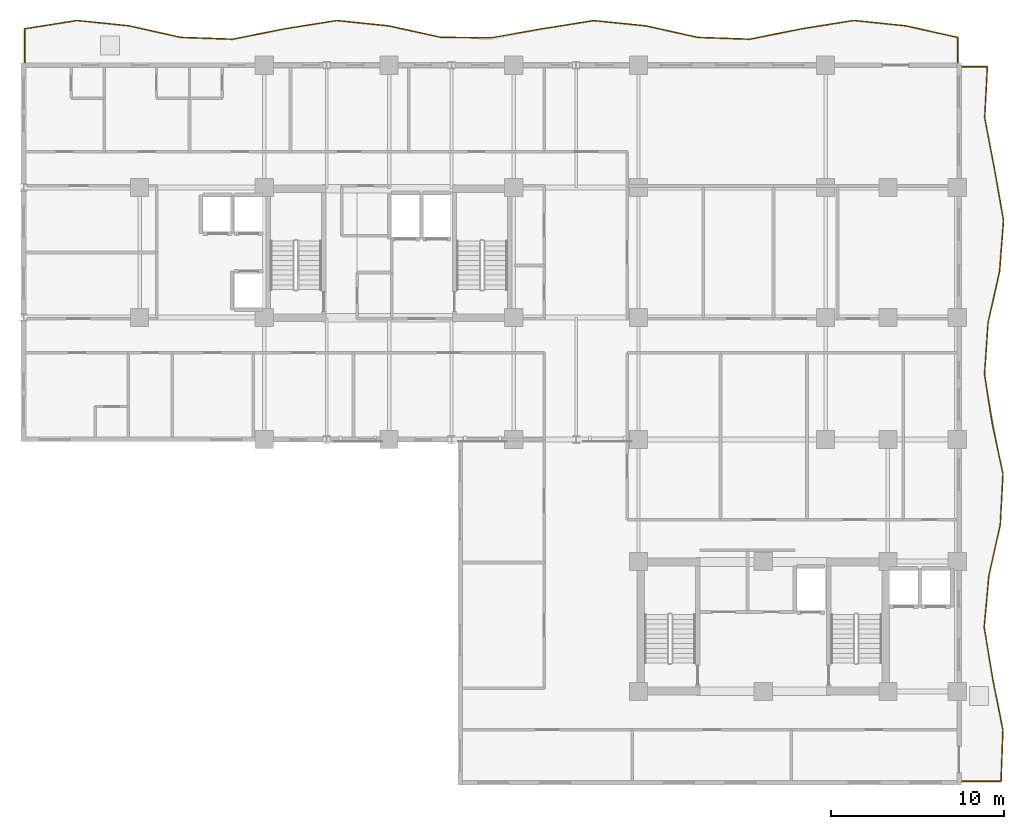
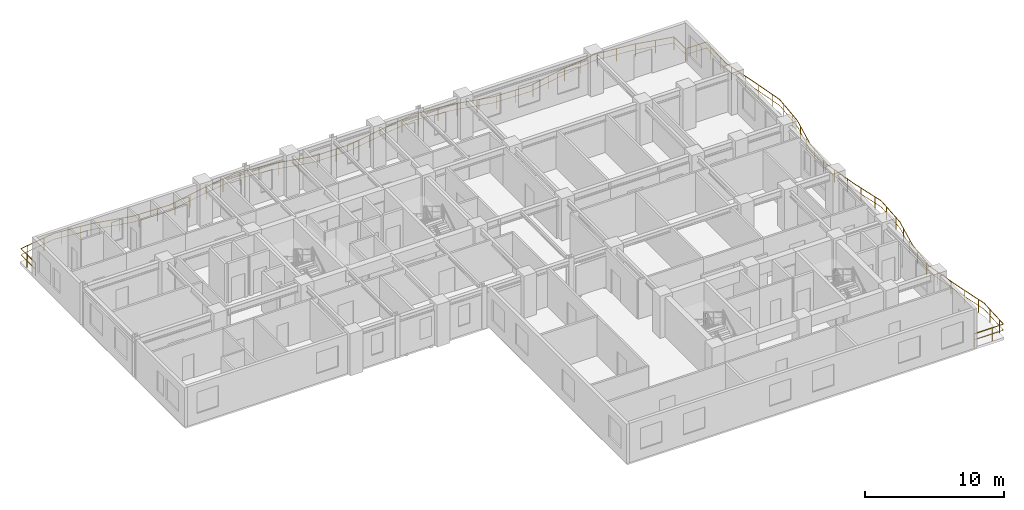
# One storey, part 13 of 13: 2 railings.
"""IFC4 building model written with IfcOpenShell, lengths in metres."""

from ifc_helpers import new_model, si_unit, direction, frame, origin, origin_2d, place, context, subcontext, project, spatial, rectangle, extrude, material, type_object, element, save


model = new_model("IFC4")

# Units and contexts
model_context = context("Model", 3, precision=1e-05, world=origin(), true_north=direction((0.0, 1.0)))
body_context = subcontext(model_context, "Body", "Model", "MODEL_VIEW")
ifc_project = project(units=[si_unit("LENGTHUNIT", "METRE"), si_unit("AREAUNIT", "SQUARE_METRE"), si_unit("VOLUMEUNIT", "CUBIC_METRE"), si_unit("PLANEANGLEUNIT", "RADIAN"), si_unit("MASSUNIT", "GRAM", prefix="KILO")], contexts=[model_context])

# Site, building, storey
site_placement = place(None, origin())
site = spatial("IfcSite", under=ifc_project, at=site_placement, CompositionType="ELEMENT")
building_placement = place(site_placement, origin())
building = spatial("IfcBuilding", under=site, at=building_placement, Name="Kaliganga Portal Commons", CompositionType="ELEMENT")
storey_placement = place(building_placement, frame((0.0, 0.0, 158.699951171875)))
storey = spatial("IfcBuildingStorey", under=building, at=storey_placement, Name="L40", CompositionType="ELEMENT", Elevation=158.699951171875)

# Railings
ifc_material = material(Name="Laminated Safety Glass and Stainless Steel 316", Category="steel")
railing_type = type_object("IfcRailingType", Name="RLG-BAL-1150", PredefinedType="BALUSTRADE", material=ifc_material)
railing_1_placement = place(storey_placement, frame((54.420166015625, 43.20556640625, 0.0)))
element("IfcRailing", 1, at=railing_1_placement, inside=storey, type_object=railing_type, Name="Balcony Guardrail L40 balc_north", PredefinedType="BALUSTRADE", context=body_context, shape_type="SweptSolid", body=[
    extrude(rectangle(XDim=0.048095703125, YDim=0.048095703125, at=origin_2d()), frame((0.0, 0.0, 1.1259765625), z_axis=(-0.000151883352, 0.999999988466, 0.0), x_axis=(-0.999999988466, -0.000151883352, 0.0)), (0.0, 0.0, 1.0), 1.607421875),
    extrude(rectangle(XDim=0.028076171875, YDim=0.028076171875, at=origin_2d()), frame((0.0, 0.0, 0.597900390625), z_axis=(-0.000151883352, 0.999999988466, 0.0), x_axis=(-0.999999988466, -0.000151883352, 0.0)), (0.0, 0.0, 1.0), 1.607421875),
    extrude(rectangle(XDim=0.048095703125, YDim=0.048095703125, at=origin_2d()), frame((-0.000244140625, 1.607421875, 1.1259765625), z_axis=(-0.975979173435, 0.217863840554, 0.0), x_axis=(-0.217863840554, -0.975979173435, 0.0)), (0.0, 0.0, 1.0), 3.07373046875),
    extrude(rectangle(XDim=0.028076171875, YDim=0.028076171875, at=origin_2d()), frame((-0.000244140625, 1.607421875, 0.597900390625), z_axis=(-0.975979173435, 0.217863840554, 0.0), x_axis=(-0.217863840554, -0.975979173435, 0.0)), (0.0, 0.0, 1.0), 3.07373046875),
    extrude(rectangle(XDim=0.048095703125, YDim=0.048095703125, at=origin_2d()), frame((-3.000244140625, 2.277099609375, 1.1259765625), z_axis=(-0.99479217812, 0.101924100932, 0.0), x_axis=(-0.101924100932, -0.99479217812, 0.0)), (0.0, 0.0, 1.0), 3.015625),
    extrude(rectangle(XDim=0.028076171875, YDim=0.028076171875, at=origin_2d()), frame((-3.000244140625, 2.277099609375, 0.597900390625), z_axis=(-0.99479217812, 0.101924100932, 0.0), x_axis=(-0.101924100932, -0.99479217812, 0.0)), (0.0, 0.0, 1.0), 3.015625),
    extrude(rectangle(XDim=0.048095703125, YDim=0.048095703125, at=origin_2d()), frame((-6.000244140625, 2.58447265625, 1.1259765625), z_axis=(-0.98747921595, -0.157749161858, 0.0), x_axis=(0.157749161858, -0.98747921595, 0.0)), (0.0, 0.0, 1.0), 3.0380859375),
    extrude(rectangle(XDim=0.028076171875, YDim=0.028076171875, at=origin_2d()), frame((-6.000244140625, 2.58447265625, 0.597900390625), z_axis=(-0.98747921595, -0.157749161858, 0.0), x_axis=(0.157749161858, -0.98747921595, 0.0)), (0.0, 0.0, 1.0), 3.0380859375),
    extrude(rectangle(XDim=0.048095703125, YDim=0.048095703125, at=origin_2d()), frame((-9.000244140625, 2.105224609375, 1.1259765625), z_axis=(-0.980405371108, -0.196990629986, 0.0), x_axis=(0.196990629986, -0.980405371108, 0.0)), (0.0, 0.0, 1.0), 3.06005859375),
    extrude(rectangle(XDim=0.028076171875, YDim=0.028076171875, at=origin_2d()), frame((-9.000244140625, 2.105224609375, 0.597900390625), z_axis=(-0.980405371108, -0.196990629986, 0.0), x_axis=(0.196990629986, -0.980405371108, 0.0)), (0.0, 0.0, 1.0), 3.06005859375),
    extrude(rectangle(XDim=0.048095703125, YDim=0.048095703125, at=origin_2d()), frame((-12.000244140625, 1.50244140625, 1.1259765625), z_axis=(-0.999376866679, 0.035297001964, 0.0), x_axis=(-0.035297001964, -0.999376866679, 0.0)), (0.0, 0.0, 1.0), 3.001953125),
    extrude(rectangle(XDim=0.028076171875, YDim=0.028076171875, at=origin_2d()), frame((-12.000244140625, 1.50244140625, 0.597900390625), z_axis=(-0.999376866679, 0.035297001964, 0.0), x_axis=(-0.035297001964, -0.999376866679, 0.0)), (0.0, 0.0, 1.0), 3.001953125),
    extrude(rectangle(XDim=0.048095703125, YDim=0.048095703125, at=origin_2d()), frame((-15.000244140625, 1.6083984375, 1.1259765625), z_axis=(-0.97621135664, 0.216821094838, 0.0), x_axis=(-0.216821094838, -0.97621135664, 0.0)), (0.0, 0.0, 1.0), 3.07275390625),
    extrude(rectangle(XDim=0.028076171875, YDim=0.028076171875, at=origin_2d()), frame((-15.000244140625, 1.6083984375, 0.597900390625), z_axis=(-0.97621135664, 0.216821094838, 0.0), x_axis=(-0.216821094838, -0.97621135664, 0.0)), (0.0, 0.0, 1.0), 3.07275390625),
    extrude(rectangle(XDim=0.048095703125, YDim=0.048095703125, at=origin_2d()), frame((-18.0, 2.274658203125, 1.1259765625), z_axis=(-0.994937270813, 0.10049789623, 0.0), x_axis=(-0.10049789623, -0.994937270813, 0.0)), (0.0, 0.0, 1.0), 3.014892578125),
    extrude(rectangle(XDim=0.028076171875, YDim=0.028076171875, at=origin_2d()), frame((-18.0, 2.274658203125, 0.597900390625), z_axis=(-0.994937270813, 0.10049789623, 0.0), x_axis=(-0.10049789623, -0.994937270813, 0.0)), (0.0, 0.0, 1.0), 3.014892578125),
    extrude(rectangle(XDim=0.048095703125, YDim=0.048095703125, at=origin_2d()), frame((-20.99951171875, 2.57763671875, 1.1259765625), z_axis=(-0.987543722899, -0.157344829476, 0.0), x_axis=(0.157344829476, -0.987543722899, 0.0)), (0.0, 0.0, 1.0), 3.0380859375),
    extrude(rectangle(XDim=0.028076171875, YDim=0.028076171875, at=origin_2d()), frame((-20.99951171875, 2.57763671875, 0.597900390625), z_axis=(-0.987543722899, -0.157344829476, 0.0), x_axis=(0.157344829476, -0.987543722899, 0.0)), (0.0, 0.0, 1.0), 3.0380859375),
    extrude(rectangle(XDim=0.048095703125, YDim=0.048095703125, at=origin_2d()), frame((-23.999755859375, 2.099609375, 1.1259765625), z_axis=(-0.984556518379, -0.175067021785, 0.0), x_axis=(0.175067021785, -0.984556518379, 0.0)), (0.0, 0.0, 1.0), 2.96630859375),
    extrude(rectangle(XDim=0.028076171875, YDim=0.028076171875, at=origin_2d()), frame((-23.999755859375, 2.099609375, 0.597900390625), z_axis=(-0.984556518379, -0.175067021785, 0.0), x_axis=(0.175067021785, -0.984556518379, 0.0)), (0.0, 0.0, 1.0), 2.96630859375),
    extrude(rectangle(XDim=0.048095703125, YDim=0.048095703125, at=origin_2d()), frame((-26.920166015625, 1.580322265625, 1.1259765625), z_axis=(-0.99993632214, 0.011285019519, 0.0), x_axis=(-0.011285019519, -0.99993632214, 0.0)), (0.0, 0.0, 1.0), 2.920654296875),
    extrude(rectangle(XDim=0.028076171875, YDim=0.028076171875, at=origin_2d()), frame((-26.920166015625, 1.580322265625, 0.597900390625), z_axis=(-0.99993632214, 0.011285019519, 0.0), x_axis=(-0.011285019519, -0.99993632214, 0.0)), (0.0, 0.0, 1.0), 2.920654296875),
    extrude(rectangle(XDim=0.048095703125, YDim=0.048095703125, at=origin_2d()), frame((-29.840576171875, 1.61328125, 1.1259765625), z_axis=(-0.976663478024, 0.214775349363, 0.0), x_axis=(-0.214775349363, -0.976663478024, 0.0)), (0.0, 0.0, 1.0), 3.071533203125),
    extrude(rectangle(XDim=0.028076171875, YDim=0.028076171875, at=origin_2d()), frame((-29.840576171875, 1.61328125, 0.597900390625), z_axis=(-0.976663478024, 0.214775349363, 0.0), x_axis=(-0.214775349363, -0.976663478024, 0.0)), (0.0, 0.0, 1.0), 3.071533203125),
    extrude(rectangle(XDim=0.048095703125, YDim=0.048095703125, at=origin_2d()), frame((-32.84033203125, 2.27294921875, 1.1259765625), z_axis=(-0.994776592164, 0.102076107309, 0.0), x_axis=(-0.102076107309, -0.994776592164, 0.0)), (0.0, 0.0, 1.0), 3.01611328125),
    extrude(rectangle(XDim=0.028076171875, YDim=0.028076171875, at=origin_2d()), frame((-32.84033203125, 2.27294921875, 0.597900390625), z_axis=(-0.994776592164, 0.102076107309, 0.0), x_axis=(-0.102076107309, -0.994776592164, 0.0)), (0.0, 0.0, 1.0), 3.01611328125),
    extrude(rectangle(XDim=0.048095703125, YDim=0.048095703125, at=origin_2d()), frame((-35.840576171875, 2.580810546875, 1.1259765625), z_axis=(-0.987637503988, -0.156755097898, 0.0), x_axis=(0.156755097898, -0.987637503988, 0.0)), (0.0, 0.0, 1.0), 3.037109375),
    extrude(rectangle(XDim=0.028076171875, YDim=0.028076171875, at=origin_2d()), frame((-35.840576171875, 2.580810546875, 0.597900390625), z_axis=(-0.987637503988, -0.156755097898, 0.0), x_axis=(0.156755097898, -0.987637503988, 0.0)), (0.0, 0.0, 1.0), 3.037109375),
    extrude(rectangle(XDim=0.048095703125, YDim=0.048095703125, at=origin_2d()), frame((-38.840087890625, 2.104736328125, 1.1259765625), z_axis=(-0.980436178169, -0.196837243778, 0.0), x_axis=(0.196837243778, -0.980436178169, 0.0)), (0.0, 0.0, 1.0), 3.059814453125),
    extrude(rectangle(XDim=0.028076171875, YDim=0.028076171875, at=origin_2d()), frame((-38.840087890625, 2.104736328125, 0.597900390625), z_axis=(-0.980436178169, -0.196837243778, 0.0), x_axis=(0.196837243778, -0.980436178169, 0.0)), (0.0, 0.0, 1.0), 3.059814453125),
    extrude(rectangle(XDim=0.048095703125, YDim=0.048095703125, at=origin_2d()), frame((-41.840087890625, 1.50244140625, 1.1259765625), z_axis=(-0.999382591304, 0.035134544226, 0.0), x_axis=(-0.035134544226, -0.999382591304, 0.0)), (0.0, 0.0, 1.0), 3.001953125),
    extrude(rectangle(XDim=0.028076171875, YDim=0.028076171875, at=origin_2d()), frame((-41.840087890625, 1.50244140625, 0.597900390625), z_axis=(-0.999382591304, 0.035134544226, 0.0), x_axis=(-0.035134544226, -0.999382591304, 0.0)), (0.0, 0.0, 1.0), 3.001953125),
    extrude(rectangle(XDim=0.048095703125, YDim=0.048095703125, at=origin_2d()), frame((-44.840087890625, 1.60791015625, 1.1259765625), z_axis=(-0.976029814467, 0.217636856416, 0.0), x_axis=(-0.217636856416, -0.976029814467, 0.0)), (0.0, 0.0, 1.0), 3.07373046875),
    extrude(rectangle(XDim=0.028076171875, YDim=0.028076171875, at=origin_2d()), frame((-44.840087890625, 1.60791015625, 0.597900390625), z_axis=(-0.976029814467, 0.217636856416, 0.0), x_axis=(-0.217636856416, -0.976029814467, 0.0)), (0.0, 0.0, 1.0), 3.07373046875),
    extrude(rectangle(XDim=0.048095703125, YDim=0.048095703125, at=origin_2d()), frame((-47.840087890625, 2.27685546875, 1.1259765625), z_axis=(-0.994775748616, 0.102084327718, 0.0), x_axis=(-0.102084327718, -0.994775748616, 0.0)), (0.0, 0.0, 1.0), 3.015869140625),
    extrude(rectangle(XDim=0.028076171875, YDim=0.028076171875, at=origin_2d()), frame((-47.840087890625, 2.27685546875, 0.597900390625), z_axis=(-0.994775748616, 0.102084327718, 0.0), x_axis=(-0.102084327718, -0.994775748616, 0.0)), (0.0, 0.0, 1.0), 3.015869140625),
    extrude(rectangle(XDim=0.048095703125, YDim=0.048095703125, at=origin_2d()), frame((-50.840087890625, 2.584716796875, 1.1259765625), z_axis=(-0.987491731196, -0.157670798878, 0.0), x_axis=(0.157670798878, -0.987491731196, 0.0)), (0.0, 0.0, 1.0), 3.0380859375),
    extrude(rectangle(XDim=0.028076171875, YDim=0.028076171875, at=origin_2d()), frame((-50.840087890625, 2.584716796875, 0.597900390625), z_axis=(-0.987491731196, -0.157670798878, 0.0), x_axis=(0.157670798878, -0.987491731196, 0.0)), (0.0, 0.0, 1.0), 3.0380859375),
    extrude(rectangle(XDim=0.048095703125, YDim=0.048095703125, at=origin_2d()), frame((-53.840087890625, 2.105712890625, 1.1259765625), z_axis=(-0.000115942028, -0.999999993279, 0.0), x_axis=(0.999999993279, -0.000115942028, 0.0)), (0.0, 0.0, 1.0), 2.105712890625),
    extrude(rectangle(XDim=0.028076171875, YDim=0.028076171875, at=origin_2d()), frame((-53.840087890625, 2.105712890625, 0.597900390625), z_axis=(-0.000115942028, -0.999999993279, 0.0), x_axis=(0.999999993279, -0.000115942028, 0.0)), (0.0, 0.0, 1.0), 2.105712890625),
    extrude(rectangle(XDim=0.0419921875, YDim=0.0419921875, at=origin_2d()), origin(), (0.0, 0.0, 1.0), 1.101806640625),
    extrude(rectangle(XDim=0.0419921875, YDim=0.0419921875, at=origin_2d()), frame((-0.000244140625, 1.607421875, 0.0)), (0.0, 0.0, 1.0), 1.101806640625),
    extrude(rectangle(XDim=0.0419921875, YDim=0.0419921875, at=origin_2d()), frame((-1.359375, 1.910888671875, 0.0)), (0.0, 0.0, 1.0), 1.101806640625),
    extrude(rectangle(XDim=0.0419921875, YDim=0.0419921875, at=origin_2d()), frame((-2.8232421875, 2.237548828125, 0.0)), (0.0, 0.0, 1.0), 1.101806640625),
    extrude(rectangle(XDim=0.0419921875, YDim=0.0419921875, at=origin_2d()), frame((-4.31201171875, 2.41162109375, 0.0)), (0.0, 0.0, 1.0), 1.101806640625),
    extrude(rectangle(XDim=0.0419921875, YDim=0.0419921875, at=origin_2d()), frame((-5.80419921875, 2.564453125, 0.0)), (0.0, 0.0, 1.0), 1.101806640625),
    extrude(rectangle(XDim=0.0419921875, YDim=0.0419921875, at=origin_2d()), frame((-7.286865234375, 2.37890625, 0.0)), (0.0, 0.0, 1.0), 1.101806640625),
    extrude(rectangle(XDim=0.0419921875, YDim=0.0419921875, at=origin_2d()), frame((-8.76806640625, 2.142333984375, 0.0)), (0.0, 0.0, 1.0), 1.101806640625),
    extrude(rectangle(XDim=0.0419921875, YDim=0.0419921875, at=origin_2d()), frame((-10.240478515625, 1.85595703125, 0.0)), (0.0, 0.0, 1.0), 1.101806640625),
    extrude(rectangle(XDim=0.0419921875, YDim=0.0419921875, at=origin_2d()), frame((-11.711181640625, 1.560546875, 0.0)), (0.0, 0.0, 1.0), 1.101806640625),
    extrude(rectangle(XDim=0.0419921875, YDim=0.0419921875, at=origin_2d()), frame((-13.20458984375, 1.544921875, 0.0)), (0.0, 0.0, 1.0), 1.101806640625),
    extrude(rectangle(XDim=0.0419921875, YDim=0.0419921875, at=origin_2d()), frame((-14.70361328125, 1.597900390625, 0.0)), (0.0, 0.0, 1.0), 1.101806640625),
    extrude(rectangle(XDim=0.0419921875, YDim=0.0419921875, at=origin_2d()), frame((-16.1748046875, 1.869384765625, 0.0)), (0.0, 0.0, 1.0), 1.101806640625),
    extrude(rectangle(XDim=0.0419921875, YDim=0.0419921875, at=origin_2d()), frame((-17.63916015625, 2.194580078125, 0.0)), (0.0, 0.0, 1.0), 1.101806640625),
    extrude(rectangle(XDim=0.0419921875, YDim=0.0419921875, at=origin_2d()), frame((-19.12451171875, 2.38818359375, 0.0)), (0.0, 0.0, 1.0), 1.101806640625),
    extrude(rectangle(XDim=0.0419921875, YDim=0.0419921875, at=origin_2d()), frame((-20.616943359375, 2.5390625, 0.0)), (0.0, 0.0, 1.0), 1.101806640625),
    extrude(rectangle(XDim=0.0419921875, YDim=0.0419921875, at=origin_2d()), frame((-22.10107421875, 2.402099609375, 0.0)), (0.0, 0.0, 1.0), 1.101806640625),
    extrude(rectangle(XDim=0.0419921875, YDim=0.0419921875, at=origin_2d()), frame((-23.58251953125, 2.166015625, 0.0)), (0.0, 0.0, 1.0), 1.101806640625),
    extrude(rectangle(XDim=0.0419921875, YDim=0.0419921875, at=origin_2d()), frame((-25.060546875, 1.910888671875, 0.0)), (0.0, 0.0, 1.0), 1.101806640625),
    extrude(rectangle(XDim=0.0419921875, YDim=0.0419921875, at=origin_2d()), frame((-26.537353515625, 1.6484375, 0.0)), (0.0, 0.0, 1.0), 1.101806640625),
    extrude(rectangle(XDim=0.0419921875, YDim=0.0419921875, at=origin_2d()), frame((-28.03125, 1.5927734375, 0.0)), (0.0, 0.0, 1.0), 1.101806640625),
    extrude(rectangle(XDim=0.0419921875, YDim=0.0419921875, at=origin_2d()), frame((-29.53125, 1.60986328125, 0.0)), (0.0, 0.0, 1.0), 1.101806640625),
    extrude(rectangle(XDim=0.0419921875, YDim=0.0419921875, at=origin_2d()), frame((-31.00341796875, 1.868896484375, 0.0)), (0.0, 0.0, 1.0), 1.101806640625),
    extrude(rectangle(XDim=0.0419921875, YDim=0.0419921875, at=origin_2d()), frame((-32.468505859375, 2.191162109375, 0.0)), (0.0, 0.0, 1.0), 1.101806640625),
    extrude(rectangle(XDim=0.0419921875, YDim=0.0419921875, at=origin_2d()), frame((-33.95361328125, 2.38720703125, 0.0)), (0.0, 0.0, 1.0), 1.101806640625),
    extrude(rectangle(XDim=0.0419921875, YDim=0.0419921875, at=origin_2d()), frame((-35.44580078125, 2.540283203125, 0.0)), (0.0, 0.0, 1.0), 1.101806640625),
    extrude(rectangle(XDim=0.0419921875, YDim=0.0419921875, at=origin_2d()), frame((-36.93017578125, 2.407958984375, 0.0)), (0.0, 0.0, 1.0), 1.101806640625),
    extrude(rectangle(XDim=0.0419921875, YDim=0.0419921875, at=origin_2d()), frame((-38.41162109375, 2.1728515625, 0.0)), (0.0, 0.0, 1.0), 1.101806640625),
    extrude(rectangle(XDim=0.0419921875, YDim=0.0419921875, at=origin_2d()), frame((-39.885498046875, 1.894775390625, 0.0)), (0.0, 0.0, 1.0), 1.101806640625),
    extrude(rectangle(XDim=0.0419921875, YDim=0.0419921875, at=origin_2d()), frame((-41.35595703125, 1.599609375, 0.0)), (0.0, 0.0, 1.0), 1.101806640625),
    extrude(rectangle(XDim=0.0419921875, YDim=0.0419921875, at=origin_2d()), frame((-42.845703125, 1.537841796875, 0.0)), (0.0, 0.0, 1.0), 1.101806640625),
    extrude(rectangle(XDim=0.0419921875, YDim=0.0419921875, at=origin_2d()), frame((-44.3447265625, 1.590576171875, 0.0)), (0.0, 0.0, 1.0), 1.101806640625),
    extrude(rectangle(XDim=0.0419921875, YDim=0.0419921875, at=origin_2d()), frame((-45.820556640625, 1.826416015625, 0.0)), (0.0, 0.0, 1.0), 1.101806640625),
    extrude(rectangle(XDim=0.0419921875, YDim=0.0419921875, at=origin_2d()), frame((-47.284423828125, 2.153076171875, 0.0)), (0.0, 0.0, 1.0), 1.101806640625),
    extrude(rectangle(XDim=0.0419921875, YDim=0.0419921875, at=origin_2d()), frame((-48.765869140625, 2.371826171875, 0.0)), (0.0, 0.0, 1.0), 1.101806640625),
    extrude(rectangle(XDim=0.0419921875, YDim=0.0419921875, at=origin_2d()), frame((-50.258056640625, 2.52490234375, 0.0)), (0.0, 0.0, 1.0), 1.101806640625),
    extrude(rectangle(XDim=0.0419921875, YDim=0.0419921875, at=origin_2d()), frame((-51.74365234375, 2.4404296875, 0.0)), (0.0, 0.0, 1.0), 1.101806640625),
    extrude(rectangle(XDim=0.0419921875, YDim=0.0419921875, at=origin_2d()), frame((-53.224853515625, 2.203857421875, 0.0)), (0.0, 0.0, 1.0), 1.101806640625),
    extrude(rectangle(XDim=0.0419921875, YDim=0.0419921875, at=origin_2d()), frame((-53.840087890625, 1.228759765625, 0.0)), (0.0, 0.0, 1.0), 1.101806640625),
    extrude(rectangle(XDim=0.0419921875, YDim=0.0419921875, at=origin_2d()), frame((-53.84033203125, 0.0, 0.0)), (0.0, 0.0, 1.0), 1.101806640625),
])
railing_2_placement = place(storey_placement, frame((54.5068359375, 1.879638671875, 0.0)))
element("IfcRailing", 2, at=railing_2_placement, inside=storey, type_object=railing_type, Name="Balcony Guardrail L40 balc_east", PredefinedType="BALUSTRADE", context=body_context, shape_type="SweptSolid", body=[
    extrude(rectangle(XDim=0.048095703125, YDim=0.048095703125, at=origin_2d()), frame((0.0, 0.0, 1.1259765625), z_axis=(0.999999994916, 0.000100836946, 0.0), x_axis=(-0.000100836946, 0.999999994916, 0.0)), (0.0, 0.0, 1.0), 2.421142578125),
    extrude(rectangle(XDim=0.028076171875, YDim=0.028076171875, at=origin_2d()), frame((0.0, 0.0, 0.597900390625), z_axis=(0.999999994916, 0.000100836946, 0.0), x_axis=(-0.000100836946, 0.999999994916, 0.0)), (0.0, 0.0, 1.0), 2.421142578125),
    extrude(rectangle(XDim=0.048095703125, YDim=0.048095703125, at=origin_2d()), frame((2.421142578125, 0.000244140625, 1.1259765625), z_axis=(0.037210012214, 0.999307467695, 0.0), x_axis=(-0.999307467695, 0.037210012214, 0.0)), (0.0, 0.0, 1.0), 2.958984375),
    extrude(rectangle(XDim=0.028076171875, YDim=0.028076171875, at=origin_2d()), frame((2.421142578125, 0.000244140625, 0.597900390625), z_axis=(0.037210012214, 0.999307467695, 0.0), x_axis=(-0.999307467695, 0.037210012214, 0.0)), (0.0, 0.0, 1.0), 2.958984375),
    extrude(rectangle(XDim=0.048095703125, YDim=0.048095703125, at=origin_2d()), frame((2.53125, 2.957275390625, 1.1259765625), z_axis=(-0.194823494829, 0.980838317901, 0.0), x_axis=(-0.980838317901, -0.194823494829, 0.0)), (0.0, 0.0, 1.0), 3.01513671875),
    extrude(rectangle(XDim=0.028076171875, YDim=0.028076171875, at=origin_2d()), frame((2.53125, 2.957275390625, 0.597900390625), z_axis=(-0.194823494829, 0.980838317901, 0.0), x_axis=(-0.980838317901, -0.194823494829, 0.0)), (0.0, 0.0, 1.0), 3.01513671875),
    extrude(rectangle(XDim=0.048095703125, YDim=0.048095703125, at=origin_2d()), frame((1.94384765625, 5.91455078125, 1.1259765625), z_axis=(-0.164332959712, 0.98640492616, 0.0), x_axis=(-0.98640492616, -0.164332959712, 0.0)), (0.0, 0.0, 1.0), 2.998046875),
    extrude(rectangle(XDim=0.028076171875, YDim=0.028076171875, at=origin_2d()), frame((1.94384765625, 5.91455078125, 0.597900390625), z_axis=(-0.164332959712, 0.98640492616, 0.0), x_axis=(-0.98640492616, -0.164332959712, 0.0)), (0.0, 0.0, 1.0), 2.998046875),
    extrude(rectangle(XDim=0.048095703125, YDim=0.048095703125, at=origin_2d()), frame((1.451171875, 8.871826171875, 1.1259765625), z_axis=(0.089223302323, 0.996011647684, 0.0), x_axis=(-0.996011647684, 0.089223302323, 0.0)), (0.0, 0.0, 1.0), 2.968994140625),
    extrude(rectangle(XDim=0.028076171875, YDim=0.028076171875, at=origin_2d()), frame((1.451171875, 8.871826171875, 0.597900390625), z_axis=(0.089223302323, 0.996011647684, 0.0), x_axis=(-0.996011647684, 0.089223302323, 0.0)), (0.0, 0.0, 1.0), 2.968994140625),
    extrude(rectangle(XDim=0.048095703125, YDim=0.048095703125, at=origin_2d()), frame((1.716064453125, 11.828857421875, 1.1259765625), z_axis=(0.218210068038, 0.975901822012, 0.0), x_axis=(-0.975901822012, 0.218210068038, 0.0)), (0.0, 0.0, 1.0), 3.02978515625),
    extrude(rectangle(XDim=0.028076171875, YDim=0.028076171875, at=origin_2d()), frame((1.716064453125, 11.828857421875, 0.597900390625), z_axis=(0.218210068038, 0.975901822012, 0.0), x_axis=(-0.975901822012, 0.218210068038, 0.0)), (0.0, 0.0, 1.0), 3.02978515625),
    extrude(rectangle(XDim=0.048095703125, YDim=0.048095703125, at=origin_2d()), frame((2.377197265625, 14.78564453125, 1.1259765625), z_axis=(0.053294936754, 0.998578814975, 0.0), x_axis=(-0.998578814975, 0.053294936754, 0.0)), (0.0, 0.0, 1.0), 2.959228515625),
    extrude(rectangle(XDim=0.028076171875, YDim=0.028076171875, at=origin_2d()), frame((2.377197265625, 14.78564453125, 0.597900390625), z_axis=(0.053294936754, 0.998578814975, 0.0), x_axis=(-0.998578814975, 0.053294936754, 0.0)), (0.0, 0.0, 1.0), 2.959228515625),
    extrude(rectangle(XDim=0.048095703125, YDim=0.048095703125, at=origin_2d()), frame((2.534912109375, 17.74072265625, 1.1259765625), z_axis=(-0.209964957533, 0.977708912002, 0.0), x_axis=(-0.977708912002, -0.209964957533, 0.0)), (0.0, 0.0, 1.0), 2.9453125),
    extrude(rectangle(XDim=0.028076171875, YDim=0.028076171875, at=origin_2d()), frame((2.534912109375, 17.74072265625, 0.597900390625), z_axis=(-0.209964957533, 0.977708912002, 0.0), x_axis=(-0.977708912002, -0.209964957533, 0.0)), (0.0, 0.0, 1.0), 2.9453125),
    extrude(rectangle(XDim=0.048095703125, YDim=0.048095703125, at=origin_2d()), frame((1.91650390625, 20.620361328125, 1.1259765625), z_axis=(-0.153184873644, 0.98819754831, 0.0), x_axis=(-0.98819754831, -0.153184873644, 0.0)), (0.0, 0.0, 1.0), 2.911865234375),
    extrude(rectangle(XDim=0.028076171875, YDim=0.028076171875, at=origin_2d()), frame((1.91650390625, 20.620361328125, 0.597900390625), z_axis=(-0.153184873644, 0.98819754831, 0.0), x_axis=(-0.98819754831, -0.153184873644, 0.0)), (0.0, 0.0, 1.0), 2.911865234375),
    extrude(rectangle(XDim=0.048095703125, YDim=0.048095703125, at=origin_2d()), frame((1.470458984375, 23.497802734375, 1.1259765625), z_axis=(0.068618330951, 0.997642984568, 0.0), x_axis=(-0.997642984568, 0.068618330951, 0.0)), (0.0, 0.0, 1.0), 2.9638671875),
    extrude(rectangle(XDim=0.028076171875, YDim=0.028076171875, at=origin_2d()), frame((1.470458984375, 23.497802734375, 0.597900390625), z_axis=(0.068618330951, 0.997642984568, 0.0), x_axis=(-0.997642984568, 0.068618330951, 0.0)), (0.0, 0.0, 1.0), 2.9638671875),
    extrude(rectangle(XDim=0.048095703125, YDim=0.048095703125, at=origin_2d()), frame((1.673828125, 26.45458984375, 1.1259765625), z_axis=(0.219402948514, 0.975634330158, 0.0), x_axis=(-0.975634330158, 0.219402948514, 0.0)), (0.0, 0.0, 1.0), 3.03125),
    extrude(rectangle(XDim=0.028076171875, YDim=0.028076171875, at=origin_2d()), frame((1.673828125, 26.45458984375, 0.597900390625), z_axis=(0.219402948514, 0.975634330158, 0.0), x_axis=(-0.975634330158, 0.219402948514, 0.0)), (0.0, 0.0, 1.0), 3.03125),
    extrude(rectangle(XDim=0.048095703125, YDim=0.048095703125, at=origin_2d()), frame((2.3388671875, 29.411865234375, 1.1259765625), z_axis=(0.076633553373, 0.997059325465, 0.0), x_axis=(-0.997059325465, 0.076633553373, 0.0)), (0.0, 0.0, 1.0), 2.966064453125),
    extrude(rectangle(XDim=0.028076171875, YDim=0.028076171875, at=origin_2d()), frame((2.3388671875, 29.411865234375, 0.597900390625), z_axis=(0.076633553373, 0.997059325465, 0.0), x_axis=(-0.997059325465, 0.076633553373, 0.0)), (0.0, 0.0, 1.0), 2.966064453125),
    extrude(rectangle(XDim=0.048095703125, YDim=0.048095703125, at=origin_2d()), frame((2.566162109375, 32.369140625, 1.1259765625), z_axis=(-0.172964176253, 0.984928116023, 0.0), x_axis=(-0.984928116023, -0.172964176253, 0.0)), (0.0, 0.0, 1.0), 3.002197265625),
    extrude(rectangle(XDim=0.028076171875, YDim=0.028076171875, at=origin_2d()), frame((2.566162109375, 32.369140625, 0.597900390625), z_axis=(-0.172964176253, 0.984928116023, 0.0), x_axis=(-0.984928116023, -0.172964176253, 0.0)), (0.0, 0.0, 1.0), 3.002197265625),
    extrude(rectangle(XDim=0.048095703125, YDim=0.048095703125, at=origin_2d()), frame((2.046875, 35.326171875, 1.1259765625), z_axis=(-0.187969082258, 0.982174945778, 0.0), x_axis=(-0.982174945778, -0.187969082258, 0.0)), (0.0, 0.0, 1.0), 3.0107421875),
    extrude(rectangle(XDim=0.028076171875, YDim=0.028076171875, at=origin_2d()), frame((2.046875, 35.326171875, 0.597900390625), z_axis=(-0.187969082258, 0.982174945778, 0.0), x_axis=(-0.982174945778, -0.187969082258, 0.0)), (0.0, 0.0, 1.0), 3.0107421875),
    extrude(rectangle(XDim=0.048095703125, YDim=0.048095703125, at=origin_2d()), frame((1.48095703125, 38.283203125, 1.1259765625), z_axis=(0.051199992486, 0.998688420264, 0.0), x_axis=(-0.998688420264, 0.051199992486, 0.0)), (0.0, 0.0, 1.0), 2.961181640625),
    extrude(rectangle(XDim=0.028076171875, YDim=0.028076171875, at=origin_2d()), frame((1.48095703125, 38.283203125, 0.597900390625), z_axis=(0.051199992486, 0.998688420264, 0.0), x_axis=(-0.998688420264, 0.051199992486, 0.0)), (0.0, 0.0, 1.0), 2.961181640625),
    extrude(rectangle(XDim=0.048095703125, YDim=0.048095703125, at=origin_2d()), frame((1.632568359375, 41.240478515625, 1.1259765625), z_axis=(-0.999999988818, 0.000149543889, 0.0), x_axis=(-0.000149543889, -0.999999988818, 0.0)), (0.0, 0.0, 1.0), 1.632568359375),
    extrude(rectangle(XDim=0.028076171875, YDim=0.028076171875, at=origin_2d()), frame((1.632568359375, 41.240478515625, 0.597900390625), z_axis=(-0.999999988818, 0.000149543889, 0.0), x_axis=(-0.000149543889, -0.999999988818, 0.0)), (0.0, 0.0, 1.0), 1.632568359375),
    extrude(rectangle(XDim=0.0419921875, YDim=0.0419921875, at=origin_2d()), origin(), (0.0, 0.0, 1.0), 1.101806640625),
    extrude(rectangle(XDim=0.0419921875, YDim=0.0419921875, at=origin_2d()), frame((1.5, 0.000244140625, 0.0)), (0.0, 0.0, 1.0), 1.101806640625),
    extrude(rectangle(XDim=0.0419921875, YDim=0.0419921875, at=origin_2d()), frame((2.442626953125, 0.57861328125, 0.0)), (0.0, 0.0, 1.0), 1.101806640625),
    extrude(rectangle(XDim=0.0419921875, YDim=0.0419921875, at=origin_2d()), frame((2.49853515625, 2.07763671875, 0.0)), (0.0, 0.0, 1.0), 1.101806640625),
    extrude(rectangle(XDim=0.0419921875, YDim=0.0419921875, at=origin_2d()), frame((2.410400390625, 3.565185546875, 0.0)), (0.0, 0.0, 1.0), 1.101806640625),
    extrude(rectangle(XDim=0.0419921875, YDim=0.0419921875, at=origin_2d()), frame((2.1181640625, 5.036376953125, 0.0)), (0.0, 0.0, 1.0), 1.101806640625),
    extrude(rectangle(XDim=0.0419921875, YDim=0.0419921875, at=origin_2d()), frame((1.844482421875, 6.510986328125, 0.0)), (0.0, 0.0, 1.0), 1.101806640625),
    extrude(rectangle(XDim=0.0419921875, YDim=0.0419921875, at=origin_2d()), frame((1.597900390625, 7.99072265625, 0.0)), (0.0, 0.0, 1.0), 1.101806640625),
    extrude(rectangle(XDim=0.0419921875, YDim=0.0419921875, at=origin_2d()), frame((1.50537109375, 9.47607421875, 0.0)), (0.0, 0.0, 1.0), 1.101806640625),
    extrude(rectangle(XDim=0.0419921875, YDim=0.0419921875, at=origin_2d()), frame((1.63916015625, 10.97021484375, 0.0)), (0.0, 0.0, 1.0), 1.101806640625),
    extrude(rectangle(XDim=0.0419921875, YDim=0.0419921875, at=origin_2d()), frame((1.855224609375, 12.451416015625, 0.0)), (0.0, 0.0, 1.0), 1.101806640625),
    extrude(rectangle(XDim=0.0419921875, YDim=0.0419921875, at=origin_2d()), frame((2.1826171875, 13.915283203125, 0.0)), (0.0, 0.0, 1.0), 1.101806640625),
    extrude(rectangle(XDim=0.0419921875, YDim=0.0419921875, at=origin_2d()), frame((2.40966796875, 15.392822265625, 0.0)), (0.0, 0.0, 1.0), 1.101806640625),
    extrude(rectangle(XDim=0.0419921875, YDim=0.0419921875, at=origin_2d()), frame((2.489501953125, 16.890625, 0.0)), (0.0, 0.0, 1.0), 1.101806640625),
    extrude(rectangle(XDim=0.0419921875, YDim=0.0419921875, at=origin_2d()), frame((2.398681640625, 18.375, 0.0)), (0.0, 0.0, 1.0), 1.101806640625),
    extrude(rectangle(XDim=0.0419921875, YDim=0.0419921875, at=origin_2d()), frame((2.083740234375, 19.841552734375, 0.0)), (0.0, 0.0, 1.0), 1.101806640625),
    extrude(rectangle(XDim=0.0419921875, YDim=0.0419921875, at=origin_2d()), frame((1.808837890625, 21.3154296875, 0.0)), (0.0, 0.0, 1.0), 1.101806640625),
    extrude(rectangle(XDim=0.0419921875, YDim=0.0419921875, at=origin_2d()), frame((1.578857421875, 22.7978515625, 0.0)), (0.0, 0.0, 1.0), 1.101806640625),
    extrude(rectangle(XDim=0.0419921875, YDim=0.0419921875, at=origin_2d()), frame((1.524658203125, 24.28759765625, 0.0)), (0.0, 0.0, 1.0), 1.101806640625),
    extrude(rectangle(XDim=0.0419921875, YDim=0.0419921875, at=origin_2d()), frame((1.627685546875, 25.783935546875, 0.0)), (0.0, 0.0, 1.0), 1.101806640625),
    extrude(rectangle(XDim=0.0419921875, YDim=0.0419921875, at=origin_2d()), frame((1.85546875, 27.26220703125, 0.0)), (0.0, 0.0, 1.0), 1.101806640625),
    extrude(rectangle(XDim=0.0419921875, YDim=0.0419921875, at=origin_2d()), frame((2.1845703125, 28.725830078125, 0.0)), (0.0, 0.0, 1.0), 1.101806640625),
    extrude(rectangle(XDim=0.0419921875, YDim=0.0419921875, at=origin_2d()), frame((2.39990234375, 30.206298828125, 0.0)), (0.0, 0.0, 1.0), 1.101806640625),
    extrude(rectangle(XDim=0.0419921875, YDim=0.0419921875, at=origin_2d()), frame((2.514892578125, 31.701904296875, 0.0)), (0.0, 0.0, 1.0), 1.101806640625),
    extrude(rectangle(XDim=0.0419921875, YDim=0.0419921875, at=origin_2d()), frame((2.42236328125, 33.187255859375, 0.0)), (0.0, 0.0, 1.0), 1.101806640625),
    extrude(rectangle(XDim=0.0419921875, YDim=0.0419921875, at=origin_2d()), frame((2.1630859375, 34.664794921875, 0.0)), (0.0, 0.0, 1.0), 1.101806640625),
    extrude(rectangle(XDim=0.0419921875, YDim=0.0419921875, at=origin_2d()), frame((1.89111328125, 36.139892578125, 0.0)), (0.0, 0.0, 1.0), 1.101806640625),
    extrude(rectangle(XDim=0.0419921875, YDim=0.0419921875, at=origin_2d()), frame((1.609130859375, 37.613037109375, 0.0)), (0.0, 0.0, 1.0), 1.101806640625),
    extrude(rectangle(XDim=0.0419921875, YDim=0.0419921875, at=origin_2d()), frame((1.522705078125, 39.099853515625, 0.0)), (0.0, 0.0, 1.0), 1.101806640625),
    extrude(rectangle(XDim=0.0419921875, YDim=0.0419921875, at=origin_2d()), frame((1.599609375, 40.597900390625, 0.0)), (0.0, 0.0, 1.0), 1.101806640625),
    extrude(rectangle(XDim=0.0419921875, YDim=0.0419921875, at=origin_2d()), frame((0.77587890625, 41.24072265625, 0.0)), (0.0, 0.0, 1.0), 1.101806640625),
    extrude(rectangle(XDim=0.0419921875, YDim=0.0419921875, at=origin_2d()), frame((0.0, 41.24072265625, 0.0)), (0.0, 0.0, 1.0), 1.101806640625),
])

save(model, "model.ifc")
